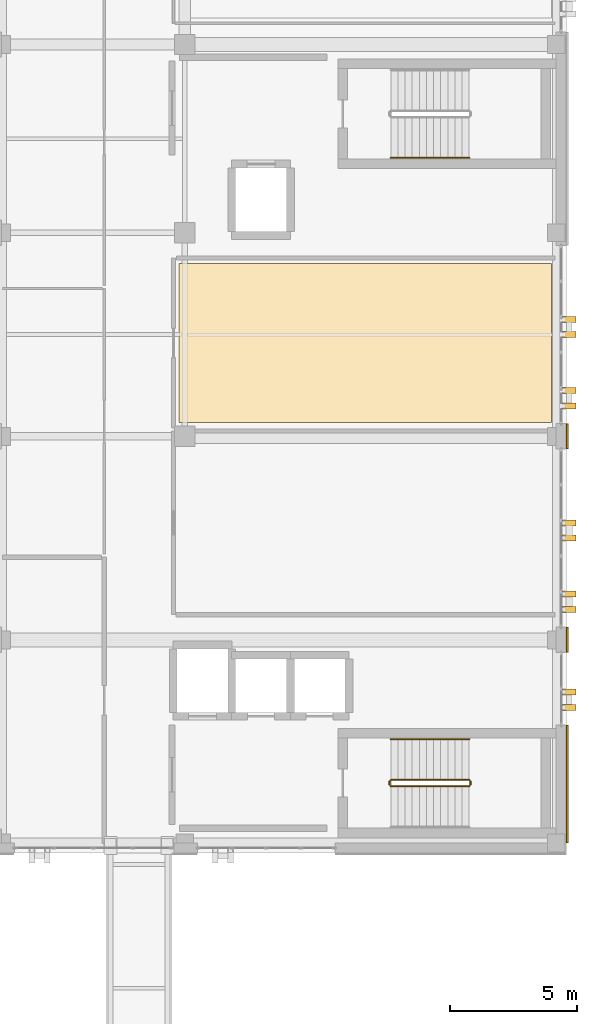
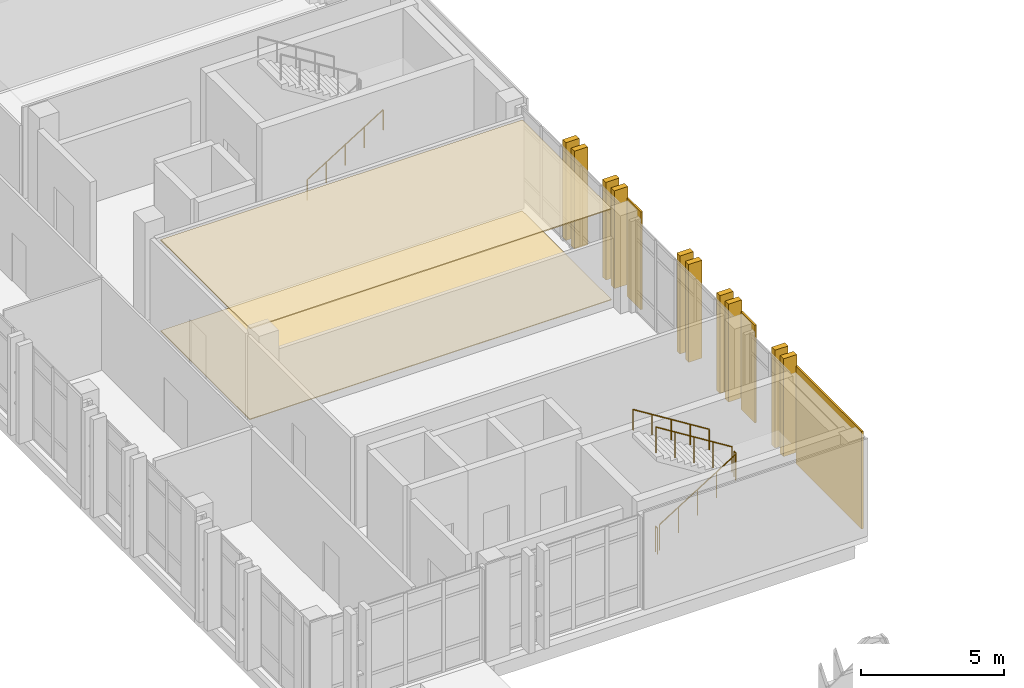
# One storey, part 148 of 158: 15 coverings, 6 railings.
"""IFC4 building model written with IfcOpenShell, lengths in metres."""

from ifc_helpers import new_model, si_unit, direction, frame, origin, origin_2d, place, context, subcontext, project, spatial, polyline, rectangle, circle, outline, extrude, material, layer, layer_set, type_object, element, save


model = new_model("IFC4")

# Units and contexts
model_context = context("Model", 3, precision=1e-05, world=origin(), true_north=direction((0.0, 1.0)))
body_context = subcontext(model_context, "Body", "Model", "MODEL_VIEW")
ifc_project = project(units=[si_unit("LENGTHUNIT", "METRE"), si_unit("AREAUNIT", "SQUARE_METRE"), si_unit("VOLUMEUNIT", "CUBIC_METRE"), si_unit("PLANEANGLEUNIT", "RADIAN"), si_unit("MASSUNIT", "GRAM", prefix="KILO")], contexts=[model_context])

# Site, building, storey
site_placement = place(None, origin())
site = spatial("IfcSite", under=ifc_project, at=site_placement, CompositionType="ELEMENT")
building_placement = place(site_placement, origin())
building = spatial("IfcBuilding", under=site, at=building_placement, Name="Qalavern Law Courts", CompositionType="ELEMENT")
storey_placement = place(building_placement, frame((0.0, 0.0, 18.60009765625)))
storey = spatial("IfcBuildingStorey", under=building, at=storey_placement, Name="L04", CompositionType="ELEMENT", Elevation=18.60009765625)

# Coverings
ifc_material_1 = material(Name="Precast concrete C40/50", Category="concrete")
ifc_layer_1 = layer(ifc_material_1, 0.22998046875)
ifc_layer_set_1 = layer_set([ifc_layer_1], Name="Precast concrete C40/50")
covering_type_1 = type_object("IfcCoveringType", Name="ENV-BLD-2", PredefinedType="CLADDING", material=ifc_layer_set_1)
for number, where, z_axis, x_axis, name in (
    (1, (106.909912109375, 46.75, 0.0048828125), (0.0, 0.0, 1.0), (1.0, 0.0, 0.0), "Absheron stone facade blade 0671"),
    (2, (106.909912109375, 47.35009765625, 0.0048828125), (0.0, 0.0, 1.0), (1.0, 0.0, 0.0), "Absheron stone facade blade 0672"),
    (3, (106.909912109375, 50.60009765625, 0.0048828125), (0.0, 0.0, 1.0), (1.0, 0.0, 0.0), "Absheron stone facade blade 0673"),
    (4, (106.909912109375, 51.199951171875, 0.0048828125), (0.0, 0.0, 1.0), (1.0, 0.0, 0.0), "Absheron stone facade blade 0674"),
    (5, (106.909912109375, 53.39990234375, 0.0048828125), (0.0, 0.0, 1.0), (1.0, 0.0, 0.0), "Absheron stone facade blade 0675"),
    (6, (106.909912109375, 54.0, 0.0048828125), (0.0, 0.0, 1.0), (1.0, 0.0, 0.0), "Absheron stone facade blade 0676"),
    (7, (106.909912109375, 58.60009765625, 0.0048828125), (0.0, 0.0, 1.0), (1.0, 0.0, 0.0), "Absheron stone facade blade 0677"),
    (8, (106.909912109375, 59.199951171875, 0.0048828125), (0.0, 0.0, 1.0), (1.0, 0.0, 0.0), "Absheron stone facade blade 0678"),
    (9, (106.909912109375, 61.39990234375, 0.0048828125), (0.0, 0.0, 1.0), (1.0, 0.0, 0.0), "Absheron stone facade blade 0679"),
    (10, (106.909912109375, 62.0, 0.0048828125), (0.0, 0.0, 1.0), (1.0, 0.0, 0.0), "Absheron stone facade blade 0680"),
):
    element("IfcCovering", number, at=place(storey_placement, frame(where, z_axis=z_axis, x_axis=x_axis)), inside=storey, type_object=covering_type_1, Name=name, PredefinedType="CLADDING", context=body_context, shape_type="SweptSolid", body=[
        extrude(rectangle(XDim=0.5400390625, YDim=0.22998046875, at=origin_2d()), origin(), (0.0, 0.0, 1.0), 4.18994140625),
    ])
ifc_layer_2 = layer(ifc_material_1, 0.072021484375)
ifc_layer_set_2 = layer_set([ifc_layer_2], Name="Precast concrete C40/50")
covering_type_2 = type_object("IfcCoveringType", Name="ENV-CLD-2", PredefinedType="CLADDING", material=ifc_layer_set_2)
covering_1_placement = place(storey_placement, frame((106.8330078125, 43.732421875, 0.009765625), z_axis=(0.0, 0.0, 1.0), x_axis=(0.0, 1.0, 0.0)))
element("IfcCovering", 11, at=covering_1_placement, inside=storey, type_object=covering_type_2, Name="V4 Absheron limestone pier facing L04 east 1", PredefinedType="CLADDING", context=body_context, shape_type="SweptSolid", body=[
    extrude(rectangle(XDim=4.614990234375, YDim=0.072021484375, at=origin_2d()), origin(), (0.0, 0.0, 1.0), 4.179931640625),
])
for number, where, z_axis, x_axis, name in (
    (12, (106.8330078125, 49.39990234375, 0.009765625), (0.0, 0.0, 1.0), (0.0, 1.0, 0.0), "V4 Absheron limestone pier facing L04 east 2"),
    (13, (106.8330078125, 57.39990234375, 0.009765625), (0.0, 0.0, 1.0), (0.0, 1.0, 0.0), "V4 Absheron limestone pier facing L04 east 3"),
):
    element("IfcCovering", number, at=place(storey_placement, frame(where, z_axis=z_axis, x_axis=x_axis)), inside=storey, type_object=covering_type_2, Name=name, PredefinedType="CLADDING", context=body_context, shape_type="SweptSolid", body=[
        extrude(rectangle(XDim=0.97998046875, YDim=0.072021484375, at=origin_2d()), origin(), (0.0, 0.0, 1.0), 4.179931640625),
    ])
ifc_material_2 = material(Name="Perforated gypsum and mineral-wool acoustic ceiling")
ifc_layer_3 = layer(ifc_material_2, 0.0458984375)
ifc_layer_set_3 = layer_set([ifc_layer_3], Name="Perforated gypsum and mineral-wool acoustic ceiling")
covering_type_3 = type_object("IfcCoveringType", Name="INT-CEIL-2", PredefinedType="CEILING", material=ifc_layer_set_3)
covering_2_placement = place(storey_placement, frame((0.0, 0.0, 3.87890625)))
element("IfcCovering", 14, at=covering_2_placement, inside=storey, type_object=covering_type_3, Name="Appellate Courtroom acoustic ceiling L04", PredefinedType="CEILING", context=body_context, shape_type="SweptSolid", body=[
    extrude(outline(polyline([(91.570068359375, 57.945068359375), (106.2099609375, 57.945068359375), (106.2099609375, 64.199951171875), (91.570068359375, 64.199951171875), (91.570068359375, 57.945068359375)])), origin(), (0.0, 0.0, 1.0), 0.0458984375),
])
ifc_material_3 = material(Name="Polished Absheron stone terrazzo flooring", Category="masonry")
ifc_layer_4 = layer(ifc_material_3, 0.030029296875)
ifc_layer_set_4 = layer_set([ifc_layer_4], Name="Polished Absheron stone terrazzo flooring")
covering_type_4 = type_object("IfcCoveringType", Name="INT-FLR-2", PredefinedType="FLOORING", material=ifc_layer_set_4)
covering_3_placement = place(storey_placement, origin())
element("IfcCovering", 15, at=covering_3_placement, inside=storey, type_object=covering_type_4, Name="Appellate Courtroom finish flooring L04", PredefinedType="FLOORING", context=body_context, shape_type="SweptSolid", body=[
    extrude(outline(polyline([(91.570068359375, 57.945068359375), (106.2099609375, 57.945068359375), (106.2099609375, 64.199951171875), (91.570068359375, 64.199951171875), (91.570068359375, 57.945068359375)])), origin(), (0.0, 0.0, 1.0), 0.02978515625),
])

# Railings
ifc_material_4 = material(Name="Steel S355", Category="steel")
railing_type_1 = type_object("IfcRailingType", Name="INT-GUARD-1120", PredefinedType="BALUSTRADE", material=ifc_material_4)
railing_1_placement = place(storey_placement, frame((99.89990234375, 43.64990234375, 0.1748046875)))
element("IfcRailing", 16, at=railing_1_placement, inside=storey, type_object=railing_type_1, Name="L04 ST-K1A stair guard 1", PredefinedType="BALUSTRADE", context=body_context, shape_type="SweptSolid", body=[
    extrude(circle(Radius=0.02392578125, at=origin_2d()), frame((0.0, 0.0, 1.09619140625), z_axis=(0.847998304005, 0.0, 0.529998940003), x_axis=(0.0, 1.0, 0.0)), (0.0, 0.0, 1.0), 3.632080078125),
    extrude(circle(Radius=0.02099609375, at=origin_2d()), origin(), (0.0, 0.0, 1.0), 1.072021484375),
    extrude(circle(Radius=0.02099609375, at=origin_2d()), frame((0.77001953125, 0.0, 0.481201171875)), (0.0, 0.0, 1.0), 1.072021484375),
    extrude(circle(Radius=0.02099609375, at=origin_2d()), frame((1.5400390625, 0.0, 0.96240234375)), (0.0, 0.0, 1.0), 1.072021484375),
    extrude(circle(Radius=0.02099609375, at=origin_2d()), frame((2.31005859375, 0.0, 1.44384765625)), (0.0, 0.0, 1.0), 1.072021484375),
    extrude(circle(Radius=0.02099609375, at=origin_2d()), frame((3.080078125, 0.0, 1.925048828125)), (0.0, 0.0, 1.0), 1.072021484375),
])
railing_2_placement = place(storey_placement, frame((103.030029296875, 43.699951171875, 2.099853515625)))
element("IfcRailing", 17, at=railing_2_placement, inside=storey, type_object=railing_type_1, Name="L04 ST-K1A stair guard 2", PredefinedType="BALUSTRADE", context=body_context, shape_type="SweptSolid", body=[
    extrude(circle(Radius=0.02392578125, at=origin_2d()), frame((0.0, 0.0, 1.09619140625), z_axis=(0.0, 1.0, 0.0), x_axis=(-1.0, 0.0, 0.0)), (0.0, 0.0, 1.0), 0.150146484375),
    extrude(circle(Radius=0.02099609375, at=origin_2d()), origin(), (0.0, 0.0, 1.0), 1.072021484375),
    extrude(circle(Radius=0.02099609375, at=origin_2d()), frame((0.0, 0.150146484375, 0.0)), (0.0, 0.0, 1.0), 1.072021484375),
])
railing_3_placement = place(storey_placement, frame((102.97998046875, 43.89990234375, 2.27490234375)))
element("IfcRailing", 18, at=railing_3_placement, inside=storey, type_object=railing_type_1, Name="L04 ST-K1A stair guard 3", PredefinedType="BALUSTRADE", context=body_context, shape_type="SweptSolid", body=[
    extrude(circle(Radius=0.02392578125, at=origin_2d()), frame((0.0, 0.0, 1.09619140625), z_axis=(-0.847998304005, 0.0, 0.529998940003), x_axis=(0.0, -1.0, 0.0)), (0.0, 0.0, 1.0), 3.632080078125),
    extrude(circle(Radius=0.02099609375, at=origin_2d()), origin(), (0.0, 0.0, 1.0), 1.072021484375),
    extrude(circle(Radius=0.02099609375, at=origin_2d()), frame((-0.77001953125, 0.0, 0.481201171875)), (0.0, 0.0, 1.0), 1.072021484375),
    extrude(circle(Radius=0.02099609375, at=origin_2d()), frame((-1.5400390625, 0.0, 0.96240234375)), (0.0, 0.0, 1.0), 1.072021484375),
    extrude(circle(Radius=0.02099609375, at=origin_2d()), frame((-2.31005859375, 0.0, 1.44384765625)), (0.0, 0.0, 1.0), 1.072021484375),
    extrude(circle(Radius=0.02099609375, at=origin_2d()), frame((-3.080078125, 0.0, 1.925048828125)), (0.0, 0.0, 1.0), 1.072021484375),
])
railing_4_placement = place(storey_placement, frame((99.85009765625, 43.699951171875, 0.0)))
element("IfcRailing", 19, at=railing_4_placement, inside=storey, type_object=railing_type_1, Name="L04 ST-K1A stair guard 4", PredefinedType="BALUSTRADE", context=body_context, shape_type="SweptSolid", body=[
    extrude(circle(Radius=0.02392578125, at=origin_2d()), frame((0.0, 0.0, 1.09619140625), z_axis=(0.0, 1.0, 0.0), x_axis=(-1.0, 0.0, 0.0)), (0.0, 0.0, 1.0), 0.150146484375),
    extrude(circle(Radius=0.02099609375, at=origin_2d()), origin(), (0.0, 0.0, 1.0), 1.072021484375),
    extrude(circle(Radius=0.02099609375, at=origin_2d()), frame((0.0, 0.150146484375, 0.0)), (0.0, 0.0, 1.0), 1.072021484375),
])
railing_type_2 = type_object("IfcRailingType", Name="INT-HRAIL-920", PredefinedType="HANDRAIL", material=ifc_material_4)
railing_5_placement = place(storey_placement, frame((102.97998046875, 45.5, 2.27490234375)))
element("IfcRailing", 20, at=railing_5_placement, inside=storey, type_object=railing_type_2, Name="L04 ST-K1A stair handrail 2", PredefinedType="HANDRAIL", context=body_context, shape_type="SweptSolid", body=[
    extrude(circle(Radius=0.02392578125, at=origin_2d()), frame((0.0, 0.0, 0.8759765625), z_axis=(-0.847998304005, 0.0, 0.529998940003), x_axis=(0.0, -1.0, 0.0)), (0.0, 0.0, 1.0), 3.632080078125),
    extrude(circle(Radius=0.02099609375, at=origin_2d()), origin(), (0.0, 0.0, 1.0), 0.851806640625),
    extrude(circle(Radius=0.02099609375, at=origin_2d()), frame((-0.77001953125, 0.0, 0.481201171875)), (0.0, 0.0, 1.0), 0.851806640625),
    extrude(circle(Radius=0.02099609375, at=origin_2d()), frame((-1.5400390625, 0.0, 0.96240234375)), (0.0, 0.0, 1.0), 0.851806640625),
    extrude(circle(Radius=0.02099609375, at=origin_2d()), frame((-2.31005859375, 0.0, 1.44384765625)), (0.0, 0.0, 1.0), 0.851806640625),
    extrude(circle(Radius=0.02099609375, at=origin_2d()), frame((-3.080078125, 0.0, 1.925048828125)), (0.0, 0.0, 1.0), 0.851806640625),
])
railing_6_placement = place(storey_placement, frame((99.89990234375, 68.35009765625, 0.1748046875)))
element("IfcRailing", 21, at=railing_6_placement, inside=storey, type_object=railing_type_2, Name="L04 ST-K1B stair handrail 1", PredefinedType="HANDRAIL", context=body_context, shape_type="SweptSolid", body=[
    extrude(circle(Radius=0.02392578125, at=origin_2d()), frame((0.0, 0.0, 0.8759765625), z_axis=(0.847998304005, 0.0, 0.529998940003), x_axis=(0.0, 1.0, 0.0)), (0.0, 0.0, 1.0), 3.632080078125),
    extrude(circle(Radius=0.02099609375, at=origin_2d()), origin(), (0.0, 0.0, 1.0), 0.851806640625),
    extrude(circle(Radius=0.02099609375, at=origin_2d()), frame((0.77001953125, 0.0, 0.481201171875)), (0.0, 0.0, 1.0), 0.851806640625),
    extrude(circle(Radius=0.02099609375, at=origin_2d()), frame((1.5400390625, 0.0, 0.96240234375)), (0.0, 0.0, 1.0), 0.851806640625),
    extrude(circle(Radius=0.02099609375, at=origin_2d()), frame((2.31005859375, 0.0, 1.44384765625)), (0.0, 0.0, 1.0), 0.851806640625),
    extrude(circle(Radius=0.02099609375, at=origin_2d()), frame((3.080078125, 0.0, 1.925048828125)), (0.0, 0.0, 1.0), 0.851806640625),
])

save(model, "model.ifc")
